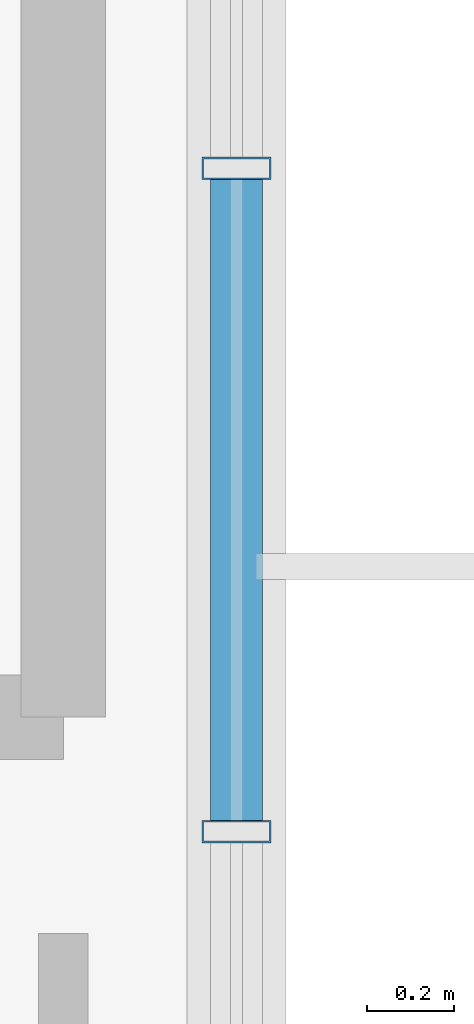
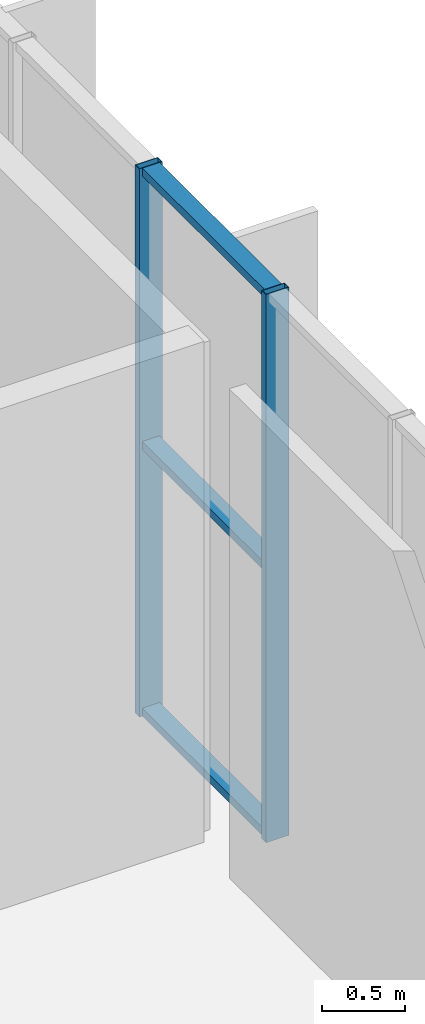
# One storey, part 50 of 324: 5 members, 1 element without a shape of its own.
"""IFC4 building model written with IfcOpenShell, lengths in metres."""

from ifc_helpers import new_model, si_unit, direction, frame, origin, origin_2d, place, context, subcontext, project, spatial, hollow_rectangle, extrude, material, layer, layer_set, material_profile, profile_set, type_object, element, aggregate, save


model = new_model("IFC4")

# Units and contexts
model_context = context("Model", 3, precision=1e-05, world=origin(), true_north=direction((0.0, 1.0)))
body_context = subcontext(model_context, "Body", "Model", "MODEL_VIEW")
ifc_project = project(units=[si_unit("LENGTHUNIT", "METRE"), si_unit("AREAUNIT", "SQUARE_METRE"), si_unit("VOLUMEUNIT", "CUBIC_METRE"), si_unit("PLANEANGLEUNIT", "RADIAN"), si_unit("MASSUNIT", "GRAM", prefix="KILO")], contexts=[model_context])

# Site, building, storey
site_placement = place(None, origin())
site = spatial("IfcSite", under=ifc_project, at=site_placement, CompositionType="ELEMENT")
building_placement = place(site_placement, origin())
building = spatial("IfcBuilding", under=site, at=building_placement, Name="Solvenia Promenade Tram Depot", CompositionType="ELEMENT")
storey_placement = place(building_placement, frame((0.0, 0.0, 4.5)))
storey = spatial("IfcBuildingStorey", under=building, at=storey_placement, Name="L01", CompositionType="ELEMENT", Elevation=4.5)

# Curtain wall, members
ifc_material = material(Name="Anodized aluminium AW-6063 T6", Category="aluminium")
ifc_layer = layer(ifc_material, 0.1201171875, Name="Anodized aluminium AW-6063 T6", Category="aluminium")
ifc_layer_set = layer_set([ifc_layer], Name="Anodized aluminium AW-6063 T6")
curtain_wall_type = type_object("IfcCurtainWallType", Name="CW-Wash-1500", PredefinedType="NOTDEFINED", material=ifc_layer_set)
curtain_wall_placement = place(storey_placement, origin())
curtain_wall = element("IfcCurtainWall", 1, at=curtain_wall_placement, inside=storey, type_object=curtain_wall_type, Name="Curtain Wall CW-V3-E-L1-2", PredefinedType="NOTDEFINED")
ifc_material_profile_1 = material_profile(ifc_material, hollow_rectangle(XDim=0.159912109375, YDim=0.052001953125, WallThickness=0.00390625, at=origin_2d()), Name="ALU-M1", Category="aluminium")
ifc_profile_set_1 = profile_set([ifc_material_profile_1], Name="Anodized aluminium AW-6063 T6")
member_type_1 = type_object("IfcMemberType", Name="CWM-Mullion-1", PredefinedType="MULLION", material=ifc_profile_set_1)
member_1_placement = place(storey_placement, frame((45.0, 45.735595703125, 0.0), z_axis=(0.0, 0.0, 1.0), x_axis=(-1.0, 0.0, 0.0)))
member_1 = element("IfcMember", 2, at=member_1_placement, type_object=member_type_1, Name="CW-10 mullion 6", PredefinedType="MULLION", context=body_context, shape_type="SweptSolid", body=[
    extrude(hollow_rectangle(XDim=0.159912109375, YDim=0.052001953125, WallThickness=0.00390625, at=origin_2d()), origin(), (0.0, 0.0, 1.0), 4.050048828125),
])
member_2_placement = place(storey_placement, frame((45.0, 47.2666015625, 0.0), z_axis=(0.0, 0.0, 1.0), x_axis=(-1.0, 0.0, 0.0)))
member_2 = element("IfcMember", 3, at=member_2_placement, type_object=member_type_1, Name="CW-10 mullion 7", PredefinedType="MULLION", context=body_context, shape_type="SweptSolid", body=[
    extrude(hollow_rectangle(XDim=0.159912109375, YDim=0.052001953125, WallThickness=0.00390625, at=origin_2d()), origin(), (0.0, 0.0, 1.0), 4.050048828125),
])
ifc_material_profile_2 = material_profile(ifc_material, hollow_rectangle(XDim=0.1201171875, YDim=0.06005859375, WallThickness=0.00390625, at=origin_2d()), Name="ALU-T1", Category="aluminium")
ifc_profile_set_2 = profile_set([ifc_material_profile_2], Name="Anodized aluminium AW-6063 T6")
member_type_2 = type_object("IfcMemberType", Name="CWT-Transom-1", PredefinedType="USERDEFINED", material=ifc_profile_set_2)
member_3_placement = place(storey_placement, frame((45.0, 45.761474609375, 0.030029296875), z_axis=(0.0, 1.0, 0.0), x_axis=(-1.0, 0.0, 0.0)))
member_3 = element("IfcMember", 4, at=member_3_placement, type_object=member_type_2, Name="CW-10 transom 6.1", ObjectType="TRANSOM", PredefinedType="USERDEFINED", context=body_context, shape_type="SweptSolid", body=[
    extrude(hollow_rectangle(XDim=0.1201171875, YDim=0.06005859375, WallThickness=0.00390625, at=origin_2d()), origin(), (0.0, 0.0, 1.0), 1.479248046875),
])
member_4_placement = place(storey_placement, frame((45.0, 45.761474609375, 2.0), z_axis=(0.0, 1.0, 0.0), x_axis=(-1.0, 0.0, 0.0)))
member_4 = element("IfcMember", 5, at=member_4_placement, type_object=member_type_2, Name="CW-10 transom 6.2", ObjectType="TRANSOM", PredefinedType="USERDEFINED", context=body_context, shape_type="SweptSolid", body=[
    extrude(hollow_rectangle(XDim=0.1201171875, YDim=0.06005859375, WallThickness=0.00390625, at=origin_2d()), origin(), (0.0, 0.0, 1.0), 1.479248046875),
])
member_5_placement = place(storey_placement, frame((45.0, 45.761474609375, 4.02001953125), z_axis=(0.0, 1.0, 0.0), x_axis=(-1.0, 0.0, 0.0)))
member_5 = element("IfcMember", 6, at=member_5_placement, type_object=member_type_2, Name="CW-10 transom 6.3", ObjectType="TRANSOM", PredefinedType="USERDEFINED", context=body_context, shape_type="SweptSolid", body=[
    extrude(hollow_rectangle(XDim=0.1201171875, YDim=0.06005859375, WallThickness=0.00390625, at=origin_2d()), origin(), (0.0, 0.0, 1.0), 1.479248046875),
])
aggregate(curtain_wall, [member_1, member_2, member_3, member_4, member_5])

save(model, "model.ifc")
